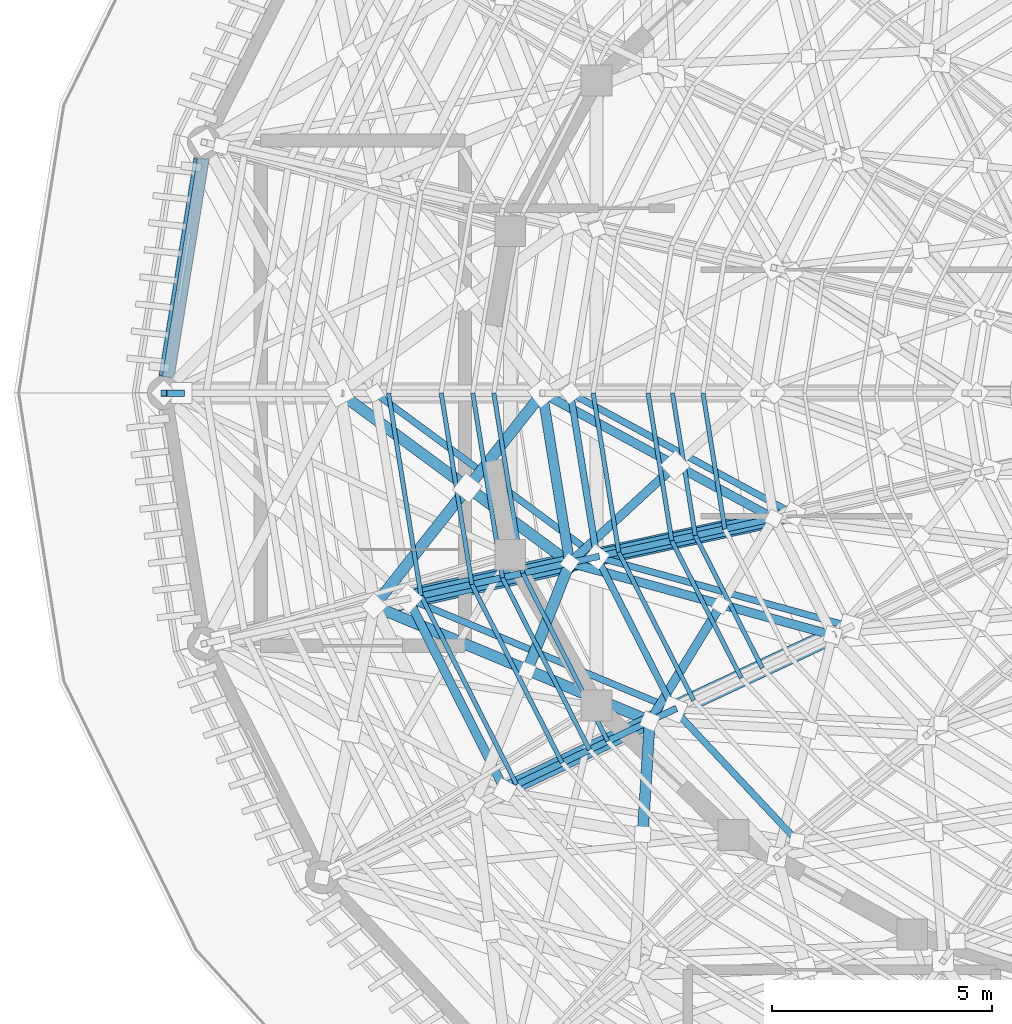
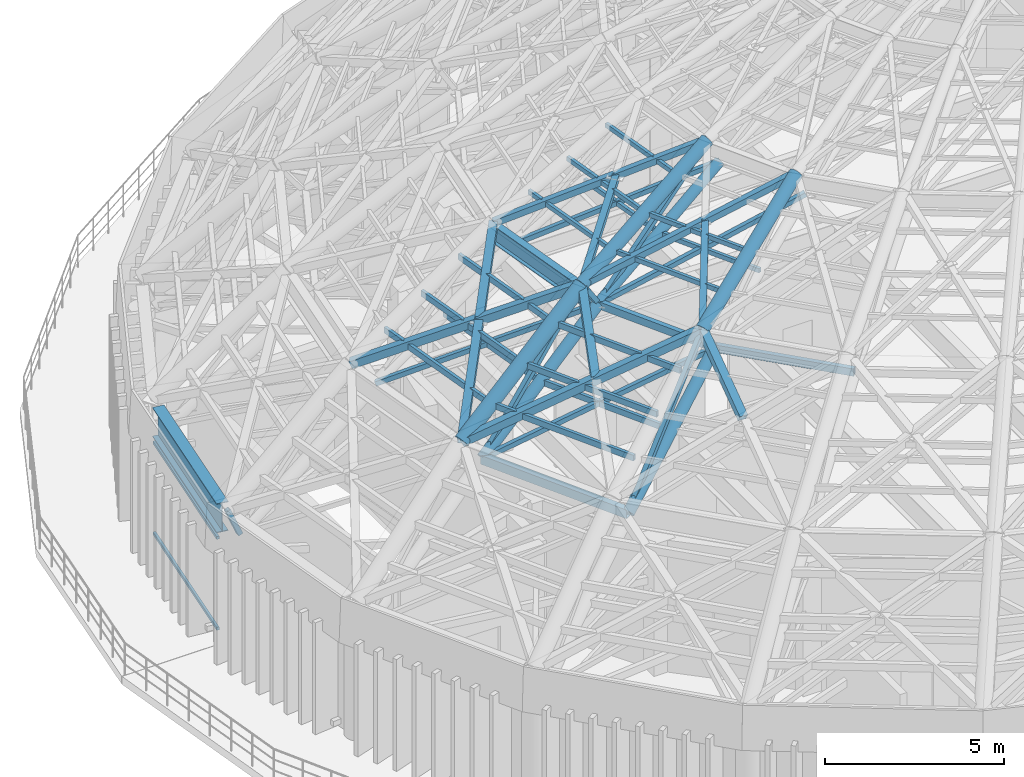
# One storey, part 6 of 50: 47 members, 2 beams.
"""IFC4 building model written with IfcOpenShell, lengths in metres."""

from ifc_helpers import new_model, si_unit, direction, frame, origin, origin_2d, place, context, subcontext, project, spatial, rectangle, hollow_rectangle, hollow_circle, i_section, extrude, material, material_profile, profile_set, type_object, element, save


model = new_model("IFC4")

# Units and contexts
model_context = context("Model", 3, precision=1e-05, world=origin(), true_north=direction((0.0, 1.0)))
body_context = subcontext(model_context, "Body", "Model", "MODEL_VIEW")
ifc_project = project(units=[si_unit("LENGTHUNIT", "METRE"), si_unit("AREAUNIT", "SQUARE_METRE"), si_unit("VOLUMEUNIT", "CUBIC_METRE"), si_unit("PLANEANGLEUNIT", "RADIAN"), si_unit("MASSUNIT", "GRAM", prefix="KILO")], contexts=[model_context])

# Site, building, storey
site_placement = place(None, origin())
site = spatial("IfcSite", under=ifc_project, at=site_placement, CompositionType="ELEMENT")
building_placement = place(site_placement, origin())
building = spatial("IfcBuilding", under=site, at=building_placement, Name="Cinderbank Siding Concert Hall", CompositionType="ELEMENT")
storey_placement = place(building_placement, frame((0.0, 0.0, 23.699951171875)))
storey = spatial("IfcBuildingStorey", under=building, at=storey_placement, Name="L06", CompositionType="ELEMENT", Elevation=23.699951171875)

# Beams
ifc_material_1 = material(Name="Structural steel AS/NZS 3679.1 Grade 350 (340 MPa)", Category="steel")
ifc_material_profile_1 = material_profile(ifc_material_1, i_section(OverallWidth=0.22900390625, OverallDepth=0.611572265625, WebThickness=0.011962890625, FlangeThickness=0.01953125, at=origin_2d()), Name="610UB125", Category="LoadBearing")
ifc_profile_set_1 = profile_set([ifc_material_profile_1], Name="Structural steel AS/NZS 3679.1 Grade 350 (340 MPa)")
beam_type_1 = type_object("IfcBeamType", Name="BM-UB610H 610UB125", PredefinedType="BEAM", material=ifc_profile_set_1)
beam_1_placement = place(storey_placement, frame((103.800048828125, 44.0, 10.994140625), z_axis=(0.158760786177, -0.987317078133, 0.0), x_axis=(0.987317078133, 0.158760786177, 0.0)))
element("IfcBeam", 1, at=beam_1_placement, inside=storey, type_object=beam_type_1, Name="L06 Beam BM-UB610H #2064", PredefinedType="BEAM", context=body_context, shape_type="SweptSolid", body=[
    extrude(i_section(OverallWidth=0.22900390625, OverallDepth=0.611572265625, WebThickness=0.011962890625, FlangeThickness=0.01953125, at=origin_2d()), origin(), (0.0, 0.0, 1.0), 3.906005859375),
])
ifc_material_2 = material(Name="Structural steel welded plate section AS/NZS 3679.2 / AS/NZS 3678 Grade 350 (340 MPa)", Category="steel")
ifc_material_profile_2 = material_profile(ifc_material_2, i_section(OverallWidth=0.35009765625, OverallDepth=1.0, WebThickness=0.013916015625, FlangeThickness=0.02490234375, at=origin_2d()), Name="1000WB258", Category="LoadBearing")
ifc_profile_set_2 = profile_set([ifc_material_profile_2], Name="Structural steel welded plate section AS/NZS 3679.2 / AS/NZS 3678 Grade 350 (340 MPa)")
beam_type_2 = type_object("IfcBeamType", Name="BM-WB1000 1000WB258", PredefinedType="BEAM", material=ifc_profile_set_2)
beam_2_placement = place(storey_placement, frame((96.05517578125, 49.33154296875, 4.0), z_axis=(-0.158385911166, -0.987377285106, 0.0), x_axis=(0.987377285106, -0.158385911166, 0.0)))
element("IfcBeam", 2, at=beam_2_placement, inside=storey, type_object=beam_type_2, Name="L06 Beam BM-WB1000 #827", PredefinedType="BEAM", context=body_context, shape_type="SweptSolid", body=[
    extrude(i_section(OverallWidth=0.35009765625, OverallDepth=1.0, WebThickness=0.013916015625, FlangeThickness=0.02490234375, at=origin_2d()), origin(), (0.0, 0.0, 1.0), 5.03271484375),
])

# Members
ifc_material_3 = material(Name="Structural steel hollow section AS/NZS 1163 Grade C350L0 (350 MPa)", Category="steel")
ifc_material_profile_3 = material_profile(ifc_material_3, hollow_rectangle(XDim=0.14990234375, YDim=0.14990234375, WallThickness=0.008056640625, at=origin_2d()), Name="150x150x8.0SHS", Category="LoadBearing")
ifc_profile_set_3 = profile_set([ifc_material_profile_3], Name="Structural steel hollow section AS/NZS 1163 Grade C350L0 (350 MPa)")
member_type_1 = type_object("IfcMemberType", Name="BR-SHS150 150x150x8.0SHS Roof Truss", PredefinedType="BRACE", material=ifc_profile_set_3)
member_1_placement = place(storey_placement, frame((95.60205078125, 44.0, 3.550048828125), z_axis=(-0.38980212284, 0.0, 0.920898639933), x_axis=(0.0, -1.0, 0.0)))
element("IfcMember", 3, at=member_1_placement, inside=storey, type_object=member_type_1, Name="L06 Diagonal Brace BR-SHS150 #DWBV-BR-SHS150-L06-0677", PredefinedType="BRACE", context=body_context, shape_type="SweptSolid", body=[
    extrude(hollow_rectangle(XDim=0.14990234375, YDim=0.14990234375, WallThickness=0.008056640625, at=origin_2d()), origin(), (0.0, 0.0, 1.0), 1.031494140625),
])
member_2_placement = place(storey_placement, frame((99.998046875, 44.0, 7.150146484375), z_axis=(0.716240918455, -0.529135865846, 0.454988112159), x_axis=(0.594202520588, 0.804315463314, 0.0)))
element("IfcMember", 4, at=member_2_placement, inside=storey, type_object=member_type_1, Name="L06 Diagonal Brace BR-SHS150 #DBRI-BR-SHS150-L06-0971", PredefinedType="BRACE", context=body_context, shape_type="SweptSolid", body=[
    extrude(hollow_rectangle(XDim=0.14990234375, YDim=0.14990234375, WallThickness=0.008056640625, at=origin_2d()), origin(), (0.0, 0.0, 1.0), 7.032958984375),
])
member_3_placement = place(storey_placement, frame((100.747802734375, 39.32958984375, 7.150146484375), z_axis=(0.655669606354, 0.145326583405, 0.740930193378), x_axis=(-0.216394383414, 0.976306033387, 0.0)))
element("IfcMember", 5, at=member_3_placement, inside=storey, type_object=member_type_1, Name="L06 Diagonal Brace BR-SHS150 #DWBD-BR-SHS150-L06-0974", PredefinedType="BRACE", context=body_context, shape_type="SweptSolid", body=[
    extrude(hollow_rectangle(XDim=0.14990234375, YDim=0.14990234375, WallThickness=0.008056640625, at=origin_2d()), origin(), (0.0, 0.0, 1.0), 5.600830078125),
])
member_4_placement = place(storey_placement, frame((100.747802734375, 39.32958984375, 7.150146484375), z_axis=(0.829240464748, -0.345681598238, 0.439163391307), x_axis=(0.384771620518, 0.923011809266, 0.0)))
element("IfcMember", 6, at=member_4_placement, inside=storey, type_object=member_type_1, Name="L06 Diagonal Brace BR-SHS150 #DBRI-BR-SHS150-L06-0983", PredefinedType="BRACE", context=body_context, shape_type="SweptSolid", body=[
    extrude(hollow_rectangle(XDim=0.14990234375, YDim=0.14990234375, WallThickness=0.008056640625, at=origin_2d()), origin(), (0.0, 0.0, 1.0), 7.286376953125),
])
member_5_placement = place(storey_placement, frame((102.94580078125, 34.977294921875, 7.150146484375), z_axis=(0.595826022207, 0.28461450653, 0.750989969263), x_axis=(-0.431029288808, 0.902337936801, 0.0)))
element("IfcMember", 7, at=member_5_placement, inside=storey, type_object=member_type_1, Name="L06 Diagonal Brace BR-SHS150 #DWBD-BR-SHS150-L06-0986", PredefinedType="BRACE", context=body_context, shape_type="SweptSolid", body=[
    extrude(hollow_rectangle(XDim=0.14990234375, YDim=0.14990234375, WallThickness=0.008056640625, at=origin_2d()), origin(), (0.0, 0.0, 1.0), 5.52587890625),
])
member_6_placement = place(storey_placement, frame((104.43701171875, 44.0, 10.35009765625), z_axis=(0.796401394474, -0.431337772153, 0.42390157489), x_axis=(0.47624361014, 0.879313382021, 0.0)))
element("IfcMember", 8, at=member_6_placement, inside=storey, type_object=member_type_1, Name="L06 Diagonal Brace BR-SHS150 #DBRI-BR-SHS150-L06-1259", PredefinedType="BRACE", context=body_context, shape_type="SweptSolid", body=[
    extrude(hollow_rectangle(XDim=0.14990234375, YDim=0.14990234375, WallThickness=0.008056640625, at=origin_2d()), origin(), (0.0, 0.0, 1.0), 6.369384765625),
])
member_7_placement = place(storey_placement, frame((105.035400390625, 40.278564453125, 10.35009765625), z_axis=(0.731050843587, 0.158983918507, 0.663542596784), x_axis=(-0.212505996554, 0.97715976249, 0.0)))
element("IfcMember", 9, at=member_7_placement, inside=storey, type_object=member_type_1, Name="L06 Diagonal Brace BR-SHS150 #DWBD-BR-SHS150-L06-1262", PredefinedType="BRACE", context=body_context, shape_type="SweptSolid", body=[
    extrude(hollow_rectangle(XDim=0.14990234375, YDim=0.14990234375, WallThickness=0.008056640625, at=origin_2d()), origin(), (0.0, 0.0, 1.0), 5.500732421875),
])
member_8_placement = place(storey_placement, frame((105.035400390625, 40.278564453125, 10.35009765625), z_axis=(-0.539773108895, -0.118450210008, 0.833435383616), x_axis=(0.214344160509, -0.976758199789, 0.0)))
element("IfcMember", 10, at=member_8_placement, inside=storey, type_object=member_type_1, Name="L06 Diagonal Brace BR-SHS150 #DWBV-BR-SHS150-L06-1265", PredefinedType="BRACE", context=body_context, shape_type="SweptSolid", body=[
    extrude(hollow_rectangle(XDim=0.14990234375, YDim=0.14990234375, WallThickness=0.008056640625, at=origin_2d()), origin(), (0.0, 0.0, 1.0), 1.139892578125),
])
member_9_placement = place(storey_placement, frame((105.035400390625, 40.278564453125, 10.35009765625), z_axis=(0.878774755646, -0.241739333874, 0.411481498124), x_axis=(0.265234287564, 0.964183993178, 0.0)))
element("IfcMember", 11, at=member_9_placement, inside=storey, type_object=member_type_1, Name="L06 Diagonal Brace BR-SHS150 #DBRI-BR-SHS150-L06-1271", PredefinedType="BRACE", context=body_context, shape_type="SweptSolid", body=[
    extrude(hollow_rectangle(XDim=0.14990234375, YDim=0.14990234375, WallThickness=0.008056640625, at=origin_2d()), origin(), (0.0, 0.0, 1.0), 6.5615234375),
])
member_10_placement = place(storey_placement, frame((106.7900390625, 36.810791015625, 10.35009765625), z_axis=(-0.488677434703, -0.23093252224, 0.841346857713), x_axis=(0.427260709515, -0.9041284677, 0.0)))
element("IfcMember", 12, at=member_10_placement, inside=storey, type_object=member_type_1, Name="L06 Diagonal Brace BR-SHS150 #DWBV-BR-SHS150-L06-1277", PredefinedType="BRACE", context=body_context, shape_type="SweptSolid", body=[
    extrude(hollow_rectangle(XDim=0.14990234375, YDim=0.14990234375, WallThickness=0.008056640625, at=origin_2d()), origin(), (0.0, 0.0, 1.0), 1.129150390625),
])
ifc_material_profile_4 = material_profile(ifc_material_3, hollow_rectangle(XDim=0.199951171875, YDim=0.199951171875, WallThickness=0.009033203125, at=origin_2d()), Name="200x200x9.0SHS", Category="LoadBearing")
ifc_profile_set_4 = profile_set([ifc_material_profile_4], Name="Structural steel hollow section AS/NZS 1163 Grade C350L0 (350 MPa)")
member_type_2 = type_object("IfcMemberType", Name="BR-SHS200 200x200x9.0SHS Roof Truss", PredefinedType="BRACE", material=ifc_profile_set_4)
member_11_placement = place(storey_placement, frame((103.800048828125, 44.0, 11.300048828125), z_axis=(0.801376125619, -0.434018252791, 0.411612027924), x_axis=(0.476231837707, 0.879319757969, 0.0)))
element("IfcMember", 13, at=member_11_placement, inside=storey, type_object=member_type_2, Name="L06 Diagonal Brace BR-SHS200 #DBRO-BR-SHS200-L06-1257", PredefinedType="BRACE", context=body_context, shape_type="SweptSolid", body=[
    extrude(hollow_rectangle(XDim=0.199951171875, YDim=0.199951171875, WallThickness=0.009033203125, at=origin_2d()), origin(), (0.0, 0.0, 1.0), 6.5595703125),
])
member_12_placement = place(storey_placement, frame((104.420166015625, 40.1435546875, 11.300048828125), z_axis=(0.663956549891, 0.61257573613, 0.428850402076), x_axis=(-0.678096452282, 0.734972925625, 0.0)))
element("IfcMember", 14, at=member_12_placement, inside=storey, type_object=member_type_2, Name="L06 Diagonal Brace BR-SHS200 #DBRO-BR-SHS200-L06-1258", PredefinedType="BRACE", context=body_context, shape_type="SweptSolid", body=[
    extrude(hollow_rectangle(XDim=0.199951171875, YDim=0.199951171875, WallThickness=0.009033203125, at=origin_2d()), origin(), (0.0, 0.0, 1.0), 3.6064453125),
])
member_13_placement = place(storey_placement, frame((104.420166015625, 40.1435546875, 11.300048828125), z_axis=(0.883936607354, -0.243142160689, 0.399422037294), x_axis=(0.265216916337, 0.964188771605, 0.0)))
element("IfcMember", 15, at=member_13_placement, inside=storey, type_object=member_type_2, Name="L06 Diagonal Brace BR-SHS200 #DBRO-BR-SHS200-L06-1269", PredefinedType="BRACE", context=body_context, shape_type="SweptSolid", body=[
    extrude(hollow_rectangle(XDim=0.199951171875, YDim=0.199951171875, WallThickness=0.009033203125, at=origin_2d()), origin(), (0.0, 0.0, 1.0), 6.759765625),
])
member_14_placement = place(storey_placement, frame((106.23828125, 36.550048828125, 11.300048828125), z_axis=(0.467031494805, 0.762705093905, 0.447395264382), x_axis=(-0.852816849032, 0.522210132043, 0.0)))
element("IfcMember", 16, at=member_14_placement, inside=storey, type_object=member_type_2, Name="L06 Diagonal Brace BR-SHS200 #DBRO-BR-SHS200-L06-1270", PredefinedType="BRACE", context=body_context, shape_type="SweptSolid", body=[
    extrude(hollow_rectangle(XDim=0.199951171875, YDim=0.199951171875, WallThickness=0.009033203125, at=origin_2d()), origin(), (0.0, 0.0, 1.0), 3.45654296875),
])
ifc_material_profile_5 = material_profile(ifc_material_3, hollow_rectangle(XDim=0.25, YDim=0.25, WallThickness=0.010009765625, at=origin_2d()), Name="250x250x10.0SHS", Category="LoadBearing")
ifc_profile_set_5 = profile_set([ifc_material_profile_5], Name="Structural steel hollow section AS/NZS 1163 Grade C350L0 (350 MPa)")
member_type_3 = type_object("IfcMemberType", Name="BR-SHS250 250x250x10.0SHS Roof Truss", PredefinedType="BRACE", material=ifc_profile_set_5)
member_15_placement = place(storey_placement, frame((99.199951171875, 44.0, 8.10009765625), z_axis=(0.721403402859, -0.532938366456, 0.442214685309), x_axis=(0.59419431409, 0.804321525948, 0.0)))
element("IfcMember", 17, at=member_15_placement, inside=storey, type_object=member_type_3, Name="L06 Diagonal Brace BR-SHS250 #DBRO-BR-SHS250-L06-0969", PredefinedType="BRACE", context=body_context, shape_type="SweptSolid", body=[
    extrude(hollow_rectangle(XDim=0.25, YDim=0.25, WallThickness=0.010009765625, at=origin_2d()), origin(), (0.0, 0.0, 1.0), 7.236083984375),
])
member_16_placement = place(storey_placement, frame((99.976806640625, 39.16015625, 8.10009765625), z_axis=(0.550212106783, 0.696542417144, 0.460538053443), x_axis=(-0.784712774684, 0.619859549614, 0.0)))
element("IfcMember", 18, at=member_16_placement, inside=storey, type_object=member_type_3, Name="L06 Diagonal Brace BR-SHS250 #DBRO-BR-SHS250-L06-0970", PredefinedType="BRACE", context=body_context, shape_type="SweptSolid", body=[
    extrude(hollow_rectangle(XDim=0.25, YDim=0.25, WallThickness=0.010009765625, at=origin_2d()), origin(), (0.0, 0.0, 1.0), 3.852294921875),
])
member_17_placement = place(storey_placement, frame((102.113037109375, 41.8642578125, 9.887939453125), z_axis=(0.550199938834, 0.69654834514, 0.460543624633), x_axis=(-0.784722008463, 0.619847859909, 0.0)))
element("IfcMember", 19, at=member_17_placement, inside=storey, type_object=member_type_3, Name="L06 Diagonal Brace BR-SHS250 #DBRO-BR-SHS250-L06-0970-S93", PredefinedType="BRACE", context=body_context, shape_type="SweptSolid", body=[
    extrude(hollow_rectangle(XDim=0.25, YDim=0.25, WallThickness=0.010009765625, at=origin_2d()), origin(), (0.0, 0.0, 1.0), 3.066162109375),
])
member_18_placement = place(storey_placement, frame((99.976806640625, 39.16015625, 8.10009765625), z_axis=(0.834800858734, -0.347988301974, 0.426628254978), x_axis=(0.384761040448, 0.923016219659, 0.0)))
element("IfcMember", 20, at=member_18_placement, inside=storey, type_object=member_type_3, Name="L06 Diagonal Brace BR-SHS250 #DBRO-BR-SHS250-L06-0981", PredefinedType="BRACE", context=body_context, shape_type="SweptSolid", body=[
    extrude(hollow_rectangle(XDim=0.25, YDim=0.25, WallThickness=0.010009765625, at=origin_2d()), origin(), (0.0, 0.0, 1.0), 7.50048828125),
])
member_19_placement = place(storey_placement, frame((103.464599609375, 37.719970703125, 9.888427734375), z_axis=(0.322496479179, 0.817941376804, 0.476411508077), x_axis=(-0.930300857103, 0.366797376317, 0.0)))
element("IfcMember", 21, at=member_19_placement, inside=storey, type_object=member_type_3, Name="L06 Diagonal Brace BR-SHS250 #DBRO-BR-SHS250-L06-0982-S94", PredefinedType="BRACE", context=body_context, shape_type="SweptSolid", body=[
    extrude(hollow_rectangle(XDim=0.25, YDim=0.25, WallThickness=0.010009765625, at=origin_2d()), origin(), (0.0, 0.0, 1.0), 2.963134765625),
])
member_20_placement = place(storey_placement, frame((106.079345703125, 34.0029296875, 9.88818359375), z_axis=(0.054493803643, 0.873323891566, 0.484082436972), x_axis=(-0.998058901293, 0.062277038699, 0.0)))
element("IfcMember", 22, at=member_20_placement, inside=storey, type_object=member_type_3, Name="L06 Diagonal Brace BR-SHS250 #DBRO-BR-SHS250-L06-0994-S95", PredefinedType="BRACE", context=body_context, shape_type="SweptSolid", body=[
    extrude(hollow_rectangle(XDim=0.25, YDim=0.25, WallThickness=0.010009765625, at=origin_2d()), origin(), (0.0, 0.0, 1.0), 2.91650390625),
])
ifc_material_profile_6 = material_profile(ifc_material_3, hollow_circle(Radius=0.161865234375, WallThickness=0.0126953125, at=origin_2d()), Name="323.9x12.7CHS", Category="LoadBearing")
ifc_profile_set_6 = profile_set([ifc_material_profile_6], Name="Structural steel hollow section AS/NZS 1163 Grade C350L0 (350 MPa)")
member_type_4 = type_object("IfcMemberType", Name="DR-CHS323 323.9x12.7CHS Roof Truss", PredefinedType="RAFTER", material=ifc_profile_set_6)
member_21_placement = place(storey_placement, frame((105.035400390625, 40.278564453125, 10.35009765625), z_axis=(0.84168436413, 0.183254426109, 0.507922480788), x_axis=(-0.212739533532, 0.977108945242, 0.0)))
element("IfcMember", 23, at=member_21_placement, inside=storey, type_object=member_type_4, Name="L06 Roof Truss Member DR-CHS323 #1261", PredefinedType="RAFTER", context=body_context, shape_type="SweptSolid", body=[
    extrude(hollow_circle(Radius=0.161865234375, WallThickness=0.0126953125, at=origin_2d()), origin(), (0.0, 0.0, 1.0), 5.315673828125),
])
ifc_material_profile_7 = material_profile(ifc_material_3, hollow_circle(Radius=0.177734375, WallThickness=0.0126953125, at=origin_2d()), Name="355.6x12.7CHS", Category="LoadBearing")
ifc_profile_set_7 = profile_set([ifc_material_profile_7], Name="Structural steel hollow section AS/NZS 1163 Grade C350L0 (350 MPa)")
member_type_5 = type_object("IfcMemberType", Name="DR-CHS355 355.6x12.7CHS Roof Truss", PredefinedType="RAFTER", material=ifc_profile_set_7)
member_22_placement = place(storey_placement, frame((100.747802734375, 39.32958984375, 7.150146484375), z_axis=(0.789093349478, 0.174650145167, 0.58892190705), x_axis=(-0.216100368757, 0.976371154133, 0.0)))
element("IfcMember", 24, at=member_22_placement, inside=storey, type_object=member_type_5, Name="L06 Roof Truss Member DR-CHS355 #973", PredefinedType="RAFTER", context=body_context, shape_type="SweptSolid", body=[
    extrude(hollow_circle(Radius=0.177734375, WallThickness=0.0126953125, at=origin_2d()), origin(), (0.0, 0.0, 1.0), 5.43359375),
])
member_23_placement = place(storey_placement, frame((102.94580078125, 34.977294921875, 7.150146484375), z_axis=(0.721618143881, 0.344173266896, 0.600676299495), x_axis=(-0.430489767889, 0.902595457413, 0.0)))
element("IfcMember", 25, at=member_23_placement, inside=storey, type_object=member_type_5, Name="L06 Roof Truss Member DR-CHS355 #985", PredefinedType="RAFTER", context=body_context, shape_type="SweptSolid", body=[
    extrude(hollow_circle(Radius=0.177734375, WallThickness=0.0126953125, at=origin_2d()), origin(), (0.0, 0.0, 1.0), 5.3271484375),
])
ifc_material_profile_8 = material_profile(ifc_material_3, hollow_circle(Radius=0.203125, WallThickness=0.01611328125, at=origin_2d()), Name="406.4x16.0CHS", Category="LoadBearing")
ifc_profile_set_8 = profile_set([ifc_material_profile_8], Name="Structural steel hollow section AS/NZS 1163 Grade C350L0 (350 MPa)")
member_type_6 = type_object("IfcMemberType", Name="DR-CHS406 406.4x16.0CHS Roof Truss", PredefinedType="RAFTER", material=ifc_profile_set_8)
member_24_placement = place(storey_placement, frame((104.420166015625, 40.1435546875, 11.300048828125), z_axis=(0.849254264776, 0.18491213653, 0.494544937821), x_axis=(-0.212750040998, 0.977106657461, 0.0)))
element("IfcMember", 26, at=member_24_placement, inside=storey, type_object=member_type_6, Name="L06 Roof Truss Member DR-CHS406 #1260", PredefinedType="RAFTER", context=body_context, shape_type="SweptSolid", body=[
    extrude(hollow_circle(Radius=0.203125, WallThickness=0.01611328125, at=origin_2d()), origin(), (0.0, 0.0, 1.0), 5.45947265625),
])
member_25_placement = place(storey_placement, frame((106.23828125, 36.550048828125, 11.300048828125), z_axis=(0.780421117577, 0.366078784641, 0.506881842913), x_axis=(-0.424677707241, 0.905344600124, 0.0)))
element("IfcMember", 27, at=member_25_placement, inside=storey, type_object=member_type_6, Name="L06 Roof Truss Member DR-CHS406 #1272", PredefinedType="RAFTER", context=body_context, shape_type="SweptSolid", body=[
    extrude(hollow_circle(Radius=0.203125, WallThickness=0.01611328125, at=origin_2d()), origin(), (0.0, 0.0, 1.0), 5.32666015625),
])
ifc_material_profile_9 = material_profile(ifc_material_3, hollow_circle(Radius=0.228515625, WallThickness=0.01611328125, at=origin_2d()), Name="457.0x16.0CHS", Category="LoadBearing")
ifc_profile_set_9 = profile_set([ifc_material_profile_9], Name="Structural steel hollow section AS/NZS 1163 Grade C350L0 (350 MPa)")
member_type_7 = type_object("IfcMemberType", Name="DR-CHS457 457.0x16.0CHS Roof Truss", PredefinedType="RAFTER", material=ifc_profile_set_9)
member_26_placement = place(storey_placement, frame((99.976806640625, 39.16015625, 8.10009765625), z_axis=(0.79869265842, 0.17676560594, 0.575190366698), x_axis=(-0.216089698952, 0.976373515621, 0.0)))
element("IfcMember", 28, at=member_26_placement, inside=storey, type_object=member_type_7, Name="L06 Roof Truss Member DR-CHS457 #972", PredefinedType="RAFTER", context=body_context, shape_type="SweptSolid", body=[
    extrude(hollow_circle(Radius=0.228515625, WallThickness=0.01611328125, at=origin_2d()), origin(), (0.0, 0.0, 1.0), 5.563232421875),
])
ifc_material_4 = material(Name="Anodised aluminium alloy 6063-T6", Category="aluminium")
ifc_material_profile_10 = material_profile(ifc_material_4, rectangle(XDim=0.080078125, YDim=0.10009765625, at=origin_2d()), Name="ALU-RAIL-80x100", Category="LoadBearing")
ifc_profile_set_10 = profile_set([ifc_material_profile_10], Name="Anodised aluminium alloy 6063-T6")
member_type_8 = type_object("IfcMemberType", Name="LV-RL1 Carrier Rail 80x100", PredefinedType="STUD", material=ifc_profile_set_10)
for number, where, z_axis, x_axis, name in (
    (29, (95.922119140625, 49.322998046875, 0.219970703125), (-0.158322718802, -0.987387419765, 0.0), (0.987387419765, -0.158322718802, 0.0), "L06 Louvre Carrier Rail 12 BOT"),
    (30, (95.922119140625, 49.322998046875, 3.320068359375), (-0.158322718802, -0.987387419765, 0.0), (0.987387419765, -0.158322718802, 0.0), "L06 Louvre Carrier Rail 12 TOP"),
):
    element("IfcMember", number, at=place(storey_placement, frame(where, z_axis=z_axis, x_axis=x_axis)), inside=storey, type_object=member_type_8, Name=name, PredefinedType="STUD", context=body_context, shape_type="SweptSolid", body=[
        extrude(rectangle(XDim=0.080078125, YDim=0.10009765625, at=origin_2d()), origin(), (0.0, 0.0, 1.0), 4.987060546875),
    ])
ifc_material_profile_11 = material_profile(ifc_material_3, hollow_rectangle(XDim=0.10009765625, YDim=0.14990234375, WallThickness=0.006103515625, at=origin_2d()), Name="150x100x6.0RHS", Category="LoadBearing")
ifc_profile_set_11 = profile_set([ifc_material_profile_11], Name="Structural steel hollow section AS/NZS 1163 Grade C350L0 (350 MPa)")
member_type_9 = type_object("IfcMemberType", Name="PR-RHS150 150x100x6.0RHS Roof Truss", PredefinedType="PURLIN", material=ifc_profile_set_11)
member_27_placement = place(storey_placement, frame((106.7529296875, 44.0, 11.699951171875), z_axis=(0.158595064833, -0.987343711891, 0.0), x_axis=(0.987343711891, 0.158595064833, 0.0)))
element("IfcMember", 31, at=member_27_placement, inside=storey, type_object=member_type_9, Name="L06 Roof Truss Member PR-RHS150 #1252", PredefinedType="PURLIN", context=body_context, shape_type="SweptSolid", body=[
    extrude(hollow_rectangle(XDim=0.10009765625, YDim=0.14990234375, WallThickness=0.006103515625, at=origin_2d()), origin(), (0.0, 0.0, 1.0), 3.27587890625),
])
member_28_placement = place(storey_placement, frame((104.951904296875, 44.0, 11.947998046875), z_axis=(0.158739629939, -0.987320479827, 0.0), x_axis=(0.987320479827, 0.158739629939, 0.0)))
element("IfcMember", 32, at=member_28_placement, inside=storey, type_object=member_type_9, Name="L06 Roof Truss Member PR-RHS150 #1254", PredefinedType="PURLIN", context=body_context, shape_type="SweptSolid", body=[
    extrude(hollow_rectangle(XDim=0.10009765625, YDim=0.14990234375, WallThickness=0.006103515625, at=origin_2d()), origin(), (0.0, 0.0, 1.0), 3.660400390625),
])
member_29_placement = place(storey_placement, frame((106.199951171875, 44.0, 12.650146484375), z_axis=(0.158576691094, -0.987346663053, 0.0), x_axis=(0.987346663053, 0.158576691094, 0.0)))
element("IfcMember", 33, at=member_29_placement, inside=storey, type_object=member_type_9, Name="L06 Roof Truss Member PR-RHS150 #1255", PredefinedType="PURLIN", context=body_context, shape_type="SweptSolid", body=[
    extrude(hollow_rectangle(XDim=0.10009765625, YDim=0.14990234375, WallThickness=0.006103515625, at=origin_2d()), origin(), (0.0, 0.0, 1.0), 3.394775390625),
])
member_30_placement = place(storey_placement, frame((107.447998046875, 44.0, 13.35205078125), z_axis=(0.158474351544, -0.987363094258, 0.0), x_axis=(0.987363094258, 0.158474351544, 0.0)))
element("IfcMember", 34, at=member_30_placement, inside=storey, type_object=member_type_9, Name="L06 Roof Truss Member PR-RHS150 #1256", PredefinedType="PURLIN", context=body_context, shape_type="SweptSolid", body=[
    extrude(hollow_rectangle(XDim=0.10009765625, YDim=0.14990234375, WallThickness=0.006103515625, at=origin_2d()), origin(), (0.0, 0.0, 1.0), 3.12890625),
])
member_31_placement = place(storey_placement, frame((107.2724609375, 40.765625, 11.699951171875), z_axis=(0.451055615368, -0.892495844161, 0.0), x_axis=(0.892495844161, 0.451055615368, 0.0)))
element("IfcMember", 35, at=member_31_placement, inside=storey, type_object=member_type_9, Name="L06 Roof Truss Member PR-RHS150 #1264", PredefinedType="PURLIN", context=body_context, shape_type="SweptSolid", body=[
    extrude(hollow_rectangle(XDim=0.10009765625, YDim=0.14990234375, WallThickness=0.006103515625, at=origin_2d()), origin(), (0.0, 0.0, 1.0), 3.376953125),
])
member_32_placement = place(storey_placement, frame((105.532958984375, 40.385986328125, 11.947998046875), z_axis=(0.451271460716, -0.892386726001, 0.0), x_axis=(0.892386726001, 0.451271460716, 0.0)))
element("IfcMember", 36, at=member_32_placement, inside=storey, type_object=member_type_9, Name="L06 Roof Truss Member PR-RHS150 #1266", PredefinedType="PURLIN", context=body_context, shape_type="SweptSolid", body=[
    extrude(hollow_rectangle(XDim=0.10009765625, YDim=0.14990234375, WallThickness=0.006103515625, at=origin_2d()), origin(), (0.0, 0.0, 1.0), 3.774169921875),
])
member_33_placement = place(storey_placement, frame((106.73828125, 40.648193359375, 12.650146484375), z_axis=(0.451088218669, -0.892479366136, 0.0), x_axis=(0.892479366136, 0.451088218669, 0.0)))
element("IfcMember", 37, at=member_33_placement, inside=storey, type_object=member_type_9, Name="L06 Roof Truss Member PR-RHS150 #1267", PredefinedType="PURLIN", context=body_context, shape_type="SweptSolid", body=[
    extrude(hollow_rectangle(XDim=0.10009765625, YDim=0.14990234375, WallThickness=0.006103515625, at=origin_2d()), origin(), (0.0, 0.0, 1.0), 3.49951171875),
])
ifc_material_profile_12 = material_profile(ifc_material_3, hollow_rectangle(XDim=0.10009765625, YDim=0.199951171875, WallThickness=0.008056640625, at=origin_2d()), Name="200x100x8.0RHS", Category="LoadBearing")
ifc_profile_set_12 = profile_set([ifc_material_profile_12], Name="Structural steel hollow section AS/NZS 1163 Grade C350L0 (350 MPa)")
member_type_10 = type_object("IfcMemberType", Name="PR-RHS200 200x100x8.0RHS Roof Truss", PredefinedType="PURLIN", material=ifc_profile_set_12)
member_34_placement = place(storey_placement, frame((102.217529296875, 44.0, 8.75), z_axis=(0.15862009127, -0.987339691619, 0.0), x_axis=(0.987339691619, 0.15862009127, 0.0)))
element("IfcMember", 38, at=member_34_placement, inside=storey, type_object=member_type_10, Name="L06 Roof Truss Member PR-RHS200 #964", PredefinedType="PURLIN", context=body_context, shape_type="SweptSolid", body=[
    extrude(hollow_rectangle(XDim=0.10009765625, YDim=0.199951171875, WallThickness=0.008056640625, at=origin_2d()), origin(), (0.0, 0.0, 1.0), 4.24951171875),
])
member_35_placement = place(storey_placement, frame((100.303955078125, 44.0, 8.8681640625), z_axis=(0.158537736653, -0.987352918696, 0.0), x_axis=(0.987352918696, 0.158537736653, 0.0)))
element("IfcMember", 39, at=member_35_placement, inside=storey, type_object=member_type_10, Name="L06 Roof Truss Member PR-RHS200 #966", PredefinedType="PURLIN", context=body_context, shape_type="SweptSolid", body=[
    extrude(hollow_rectangle(XDim=0.10009765625, YDim=0.199951171875, WallThickness=0.008056640625, at=origin_2d()), origin(), (0.0, 0.0, 1.0), 4.6630859375),
])
member_36_placement = place(storey_placement, frame((101.5, 44.0, 9.699951171875), z_axis=(0.158606682786, -0.987341845652, 0.0), x_axis=(0.987341845652, 0.158606682786, 0.0)))
element("IfcMember", 40, at=member_36_placement, inside=storey, type_object=member_type_10, Name="L06 Roof Truss Member PR-RHS200 #967", PredefinedType="PURLIN", context=body_context, shape_type="SweptSolid", body=[
    extrude(hollow_rectangle(XDim=0.10009765625, YDim=0.199951171875, WallThickness=0.008056640625, at=origin_2d()), origin(), (0.0, 0.0, 1.0), 4.40380859375),
])
member_37_placement = place(storey_placement, frame((102.696044921875, 44.0, 10.531982421875), z_axis=(0.158684247496, -0.987329382525, 0.0), x_axis=(0.987329382525, 0.158684247496, 0.0)))
element("IfcMember", 41, at=member_37_placement, inside=storey, type_object=member_type_10, Name="L06 Roof Truss Member PR-RHS200 #968", PredefinedType="PURLIN", context=body_context, shape_type="SweptSolid", body=[
    extrude(hollow_rectangle(XDim=0.10009765625, YDim=0.199951171875, WallThickness=0.008056640625, at=origin_2d()), origin(), (0.0, 0.0, 1.0), 4.144775390625),
])
member_38_placement = place(storey_placement, frame((102.8916015625, 39.80419921875, 8.75), z_axis=(0.451087798858, -0.892479578322, 0.0), x_axis=(0.892479578322, 0.451087798858, 0.0)))
element("IfcMember", 42, at=member_38_placement, inside=storey, type_object=member_type_10, Name="L06 Roof Truss Member PR-RHS200 #976", PredefinedType="PURLIN", context=body_context, shape_type="SweptSolid", body=[
    extrude(hollow_rectangle(XDim=0.10009765625, YDim=0.199951171875, WallThickness=0.008056640625, at=origin_2d()), origin(), (0.0, 0.0, 1.0), 4.38134765625),
])
member_39_placement = place(storey_placement, frame((101.043212890625, 39.39599609375, 8.8681640625), z_axis=(0.450948119115, -0.892550163222, 0.0), x_axis=(0.892550163222, 0.450948119115, 0.0)))
element("IfcMember", 43, at=member_39_placement, inside=storey, type_object=member_type_10, Name="L06 Roof Truss Member PR-RHS200 #978", PredefinedType="PURLIN", context=body_context, shape_type="SweptSolid", body=[
    extrude(hollow_rectangle(XDim=0.10009765625, YDim=0.199951171875, WallThickness=0.008056640625, at=origin_2d()), origin(), (0.0, 0.0, 1.0), 4.806396484375),
])
member_40_placement = place(storey_placement, frame((102.198486328125, 39.65185546875, 9.699951171875), z_axis=(0.451081348007, -0.89248283876, 0.0), x_axis=(0.89248283876, 0.451081348007, 0.0)))
element("IfcMember", 44, at=member_40_placement, inside=storey, type_object=member_type_10, Name="L06 Roof Truss Member PR-RHS200 #979", PredefinedType="PURLIN", context=body_context, shape_type="SweptSolid", body=[
    extrude(hollow_rectangle(XDim=0.10009765625, YDim=0.199951171875, WallThickness=0.008056640625, at=origin_2d()), origin(), (0.0, 0.0, 1.0), 4.539794921875),
])
member_41_placement = place(storey_placement, frame((103.353759765625, 39.90771484375, 10.531982421875), z_axis=(0.451253681826, -0.892395716394, 0.0), x_axis=(0.892395716394, 0.451253681826, 0.0)))
element("IfcMember", 45, at=member_41_placement, inside=storey, type_object=member_type_10, Name="L06 Roof Truss Member PR-RHS200 #980", PredefinedType="PURLIN", context=body_context, shape_type="SweptSolid", body=[
    extrude(hollow_rectangle(XDim=0.10009765625, YDim=0.199951171875, WallThickness=0.008056640625, at=origin_2d()), origin(), (0.0, 0.0, 1.0), 4.273681640625),
])
ifc_material_profile_13 = material_profile(ifc_material_3, hollow_rectangle(XDim=0.14990234375, YDim=0.25, WallThickness=0.009033203125, at=origin_2d()), Name="250x150x9.0RHS", Category="LoadBearing")
ifc_profile_set_13 = profile_set([ifc_material_profile_13], Name="Structural steel hollow section AS/NZS 1163 Grade C350L0 (350 MPa)")
member_type_11 = type_object("IfcMemberType", Name="PR-RHS250 250x150x9.0RHS Roof Truss", PredefinedType="PURLIN", material=ifc_profile_set_13)
member_42_placement = place(storey_placement, frame((104.43701171875, 44.0, 10.35009765625), z_axis=(0.158755893638, -0.987317864841, 0.0), x_axis=(0.987317864841, 0.158755893638, 0.0)))
element("IfcMember", 46, at=member_42_placement, inside=storey, type_object=member_type_11, Name="L06 Roof Truss Member PR-RHS250 #963", PredefinedType="PURLIN", context=body_context, shape_type="SweptSolid", body=[
    extrude(hollow_rectangle(XDim=0.14990234375, YDim=0.25, WallThickness=0.009033203125, at=origin_2d()), origin(), (0.0, 0.0, 1.0), 3.769287109375),
])
member_43_placement = place(storey_placement, frame((105.035400390625, 40.278564453125, 10.35009765625), z_axis=(0.451480187506, -0.892281144197, 0.0), x_axis=(0.892281144197, 0.451480187506, 0.0)))
element("IfcMember", 47, at=member_43_placement, inside=storey, type_object=member_type_11, Name="L06 Roof Truss Member PR-RHS250 #975", PredefinedType="PURLIN", context=body_context, shape_type="SweptSolid", body=[
    extrude(hollow_rectangle(XDim=0.14990234375, YDim=0.25, WallThickness=0.009033203125, at=origin_2d()), origin(), (0.0, 0.0, 1.0), 3.886474609375),
])
member_44_placement = place(storey_placement, frame((106.7900390625, 36.810791015625, 10.35009765625), z_axis=(0.683855561271, -0.729617414347, 0.0), x_axis=(0.729617414347, 0.683855561271, 0.0)))
element("IfcMember", 48, at=member_44_placement, inside=storey, type_object=member_type_11, Name="L06 Roof Truss Member PR-RHS250 #987", PredefinedType="PURLIN", context=body_context, shape_type="SweptSolid", body=[
    extrude(hollow_rectangle(XDim=0.14990234375, YDim=0.25, WallThickness=0.009033203125, at=origin_2d()), origin(), (0.0, 0.0, 1.0), 4.081298828125),
])
ifc_material_profile_14 = material_profile(ifc_material_3, hollow_rectangle(XDim=0.199951171875, YDim=0.300048828125, WallThickness=0.010009765625, at=origin_2d()), Name="300x200x10.0RHS", Category="LoadBearing")
ifc_profile_set_14 = profile_set([ifc_material_profile_14], Name="Structural steel hollow section AS/NZS 1163 Grade C350L0 (350 MPa)")
member_type_12 = type_object("IfcMemberType", Name="PR-RHS300 300x200x10.0RHS Roof Truss", PredefinedType="PURLIN", material=ifc_profile_set_14)
member_45_placement = place(storey_placement, frame((100.747802734375, 39.32958984375, 7.150146484375), z_axis=(0.450795133604, -0.892627440492, 0.0), x_axis=(0.892627440492, 0.450795133604, 0.0)))
element("IfcMember", 49, at=member_45_placement, inside=storey, type_object=member_type_12, Name="L06 Roof Truss Member PR-RHS300 #687", PredefinedType="PURLIN", context=body_context, shape_type="SweptSolid", body=[
    extrude(hollow_rectangle(XDim=0.199951171875, YDim=0.300048828125, WallThickness=0.010009765625, at=origin_2d()), origin(), (0.0, 0.0, 1.0), 4.875732421875),
])

save(model, "model.ifc")
